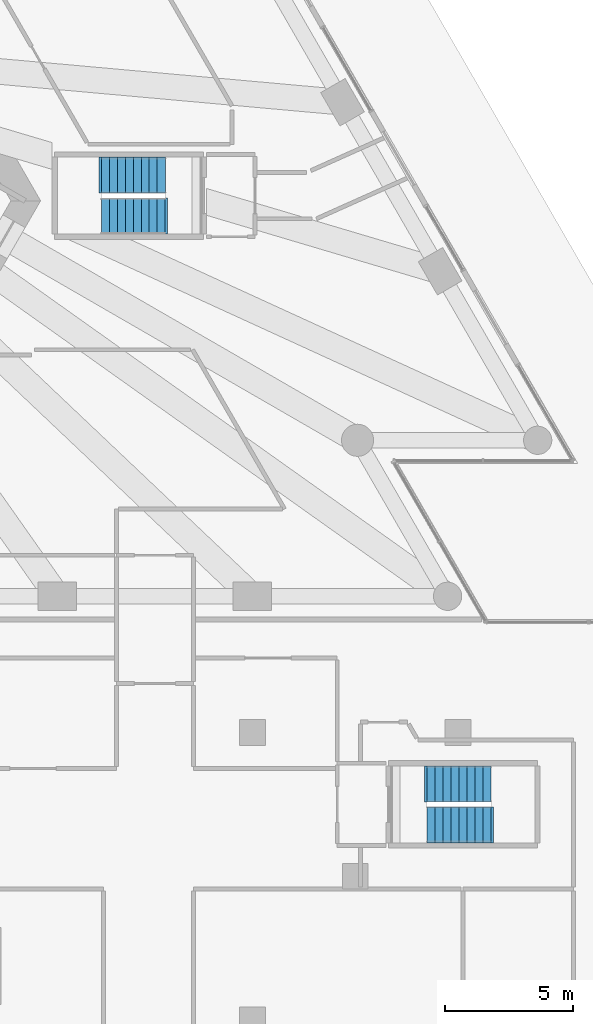
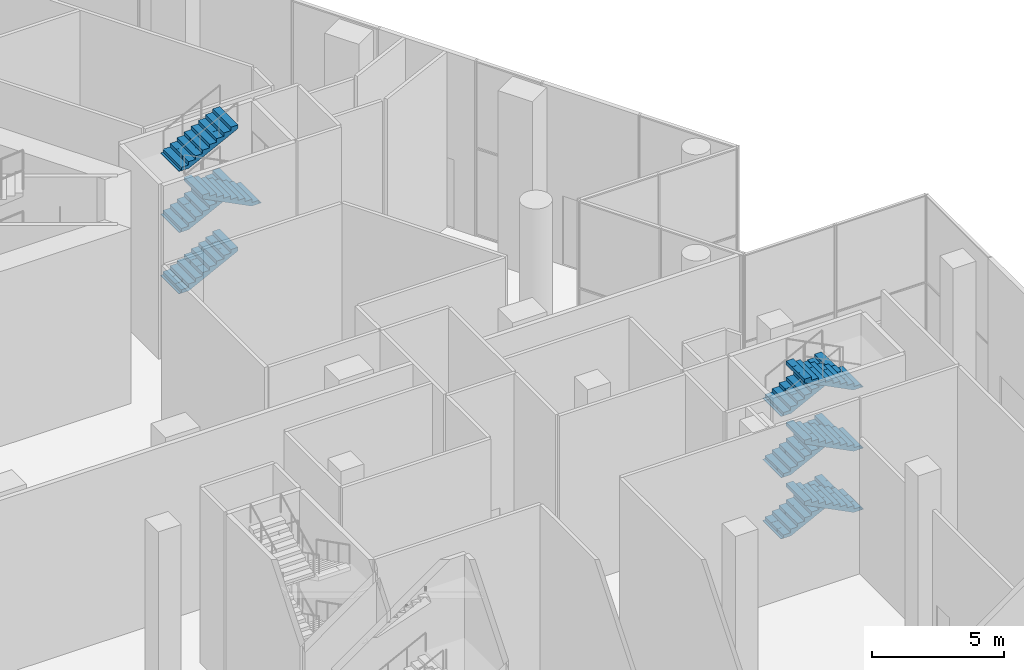
# One storey, part 33 of 41: 10 stair flights, 2 elements without a shape of their own.
"""IFC4 building model written with IfcOpenShell, lengths in metres."""

import ifcopenshell
import ifcopenshell.guid

model = None  # the IFC model being written
_history = None  # IfcOwnerHistory: only IFC2X3 demands one
_inside = {}  # id of a spatial element -> (the spatial element, [elements in it])
_under = {}  # id of a project, library or spatial element -> (it, [spatial elements below it])
_declared = {}  # id of a project -> (the project, [libraries it declares])
_typed = {}  # id of a type object -> (the type object, [elements of that type])
_made_of = {}  # id of a material, layer set ... -> (it, [elements and type objects made of it])


def new_model(schema):
    """Start an empty IFC model of exactly this schema.

    Asked for "IFC4X3", IfcOpenShell would pick the latest addendum, in which some entities
    have other attributes; the version numbers below select the first issue.
    IFC2X3 requires an IfcOwnerHistory on every rooted entity: one is made here for all.
    """
    global model, _history
    if schema == "IFC4X3":
        model = ifcopenshell.file(schema_version=(4, 3, 0, 0))
    else:
        model = ifcopenshell.file(schema=schema)
    _inside.clear()
    _under.clear()
    _declared.clear()
    _typed.clear()
    _made_of.clear()
    _history = None
    if model.schema == "IFC2X3":
        org = make("IfcOrganization", Name="unknown")
        user = make(
            "IfcPersonAndOrganization",
            ThePerson=make("IfcPerson", FamilyName="unknown"),
            TheOrganization=org,
        )
        app = make(
            "IfcApplication",
            ApplicationDeveloper=org,
            Version="unknown",
            ApplicationFullName="unknown",
            ApplicationIdentifier="unknown",
        )
        _history = make(
            "IfcOwnerHistory",
            OwningUser=user,
            OwningApplication=app,
            ChangeAction="ADDED",
            CreationDate=0,
        )
    return model


def make(cls, **values):
    """One entity of the class cls with the attributes given. An attribute that is None is left unset."""
    return model.create_entity(
        cls, **{name: value for name, value in values.items() if value is not None}
    )


def rooted(cls, **values):
    """An entity with a GlobalId (a new one), such as an element, a storey or a relation."""
    return make(cls, GlobalId=ifcopenshell.guid.new(), OwnerHistory=_history, **values)


def si_unit(unit_type, name, prefix=None):
    """IfcSIUnit, for example si_unit("LENGTHUNIT", "METRE", prefix="MILLI")."""
    return make("IfcSIUnit", UnitType=unit_type, Prefix=prefix, Name=name)


def assignment(units):
    """IfcUnitAssignment: the units of a project."""
    return None if units is None else make("IfcUnitAssignment", Units=units)


def point(xyz):
    """IfcCartesianPoint."""
    return None if xyz is None else make("IfcCartesianPoint", Coordinates=xyz)


def direction(xyz):
    """IfcDirection."""
    return None if xyz is None else make("IfcDirection", DirectionRatios=xyz)


def frame(location, z_axis=None, x_axis=None):
    """IfcAxis2Placement3D, a coordinate frame: its origin and axes. An axis left out is left unset."""
    return make(
        "IfcAxis2Placement3D",
        Location=point(location),
        Axis=direction(z_axis),
        RefDirection=direction(x_axis),
    )


def origin():
    """The frame at (0, 0, 0) with its axes left unset."""
    return frame((0.0, 0.0, 0.0))


def place(relative_to, where):
    """IfcLocalPlacement: puts the frame where relative to a parent placement (None: the world)."""
    return make(
        "IfcLocalPlacement", PlacementRelTo=relative_to, RelativePlacement=where
    )


def context(
    kind, dimensions, precision=None, world=None, true_north=None, identifier=None
):
    """IfcGeometricRepresentationContext, for example the 3D "Model" context."""
    return make(
        "IfcGeometricRepresentationContext",
        ContextIdentifier=identifier,
        ContextType=kind,
        CoordinateSpaceDimension=dimensions,
        Precision=precision,
        WorldCoordinateSystem=world,
        TrueNorth=true_north,
    )


def subcontext(parent, identifier, kind, view, scale=None):
    """IfcGeometricRepresentationSubContext, for example "Body" below "Model"."""
    return make(
        "IfcGeometricRepresentationSubContext",
        ContextIdentifier=identifier,
        ContextType=kind,
        ParentContext=parent,
        TargetScale=scale,
        TargetView=view,
    )


def project(units=None, contexts=None):
    """IfcProject with its units and contexts."""
    return rooted(
        "IfcProject",
        Name="project",
        RepresentationContexts=contexts,
        UnitsInContext=assignment(units),
    )


def spatial(cls, under=None, at=None, **own):
    """A site, building, storey or space (cls), placed at a placement, below another one or the project."""
    s = rooted(cls, ObjectPlacement=at, **own)
    if under is not None:
        _under.setdefault(under.id(), (under, []))[1].append(s)
    return s


def polyline(points):
    """IfcPolyline through the points."""
    return make("IfcPolyline", Points=[point(p) for p in points])


def outline(outer, holes=None, kind="AREA"):
    """IfcArbitraryClosedProfileDef: a profile drawn as a closed curve; with holes, ...WithVoids."""
    if holes is None:
        return make("IfcArbitraryClosedProfileDef", ProfileType=kind, OuterCurve=outer)
    return make(
        "IfcArbitraryProfileDefWithVoids",
        ProfileType=kind,
        OuterCurve=outer,
        InnerCurves=holes,
    )


def extrude(swept, where, along, depth):
    """IfcExtrudedAreaSolid: the profile swept, set in the frame where, extruded along a direction by depth."""
    return make(
        "IfcExtrudedAreaSolid",
        SweptArea=swept,
        Position=where,
        ExtrudedDirection=direction(along),
        Depth=depth,
    )


def shape(context_of_items, identifier, shape_type, items):
    """IfcShapeRepresentation: the items that make up one representation, for example the "Body"."""
    return make(
        "IfcShapeRepresentation",
        ContextOfItems=context_of_items,
        RepresentationIdentifier=identifier,
        RepresentationType=shape_type,
        Items=items,
    )


def material(Name=None, Category=None):
    """IfcMaterial."""
    return make("IfcMaterial", Name=Name, Category=Category)


def made_of(thing, what):
    """Note that an element or type object is made of a material, layer set ...; save() writes the relation."""
    if what is not None:
        _made_of.setdefault(what.id(), (what, []))[1].append(thing)
    return thing


def type_object(cls, material=None, **own):
    """A type object (cls), such as IfcWallType, which elements share."""
    return made_of(rooted(cls, **own), material)


def element(
    cls,
    number,
    at=None,
    inside=None,
    cuts=None,
    type_object=None,
    material=None,
    context=None,
    identifier="Body",
    shape_type=None,
    held_by="IfcProductDefinitionShape",
    body=None,
    shapes=None,
    **own,
):
    """One element of the class cls, such as IfcWall. Its Tag is "e" and its number.

    at: its placement. inside: the storey or other place that contains it. cuts: it is an
    opening in that element (IfcRelVoidsElement). A single representation is given by context,
    identifier, shape_type and body (its items); several are given by shapes. held_by: the class
    of the entity that holds the representations. save() writes the other relations.
    """
    e = rooted(cls, Tag="e%d" % number, ObjectPlacement=at, **own)
    if body is not None:
        shapes = [shape(context, identifier, shape_type, body)]
    if shapes is not None:
        e.Representation = make(held_by, Representations=shapes)
    if inside is not None:
        _inside.setdefault(inside.id(), (inside, []))[1].append(e)
    if cuts is not None:
        rooted(
            "IfcRelVoidsElement", RelatingBuildingElement=cuts, RelatedOpeningElement=e
        )
    if type_object is not None:
        _typed.setdefault(type_object.id(), (type_object, []))[1].append(e)
    return made_of(e, material)


def aggregate(whole, parts):
    """IfcRelAggregates: a whole, such as a stair, and the parts it consists of."""
    return rooted("IfcRelAggregates", RelatingObject=whole, RelatedObjects=parts)


def save(model, path):
    """Write the relations noted so far, then the file.

    IfcRelAggregates (storeys below a building ...), IfcRelContainedInSpatialStructure (elements
    in a storey), IfcRelDefinesByType, IfcRelAssociatesMaterial and IfcRelDeclares: one each for
    every whole, place, type object, material and project.
    """
    for whole, parts in _under.values():
        aggregate(whole, parts)
    for where, things in _inside.values():
        rooted(
            "IfcRelContainedInSpatialStructure",
            RelatedElements=things,
            RelatingStructure=where,
        )
    for kind, things in _typed.values():
        rooted("IfcRelDefinesByType", RelatedObjects=things, RelatingType=kind)
    for what, things in _made_of.values():
        rooted("IfcRelAssociatesMaterial", RelatedObjects=things, RelatingMaterial=what)
    for by, libraries in _declared.values():
        rooted("IfcRelDeclares", RelatingContext=by, RelatedDefinitions=libraries)
    model.write(path)


model = new_model("IFC4")

# Units and contexts
model_context = context("Model", 3, precision=1e-05, world=origin(), true_north=direction((0.0, 1.0)))
body_context = subcontext(model_context, "Body", "Model", "MODEL_VIEW")
ifc_project = project(units=[si_unit("LENGTHUNIT", "METRE"), si_unit("AREAUNIT", "SQUARE_METRE"), si_unit("VOLUMEUNIT", "CUBIC_METRE"), si_unit("PLANEANGLEUNIT", "RADIAN"), si_unit("MASSUNIT", "GRAM", prefix="KILO")], contexts=[model_context])

# Site, building, storey
site_placement = place(None, origin())
site = spatial("IfcSite", under=ifc_project, at=site_placement, CompositionType="ELEMENT")
building_placement = place(site_placement, origin())
building = spatial("IfcBuilding", under=site, at=building_placement, Name="Triada Interchange Tower", CompositionType="ELEMENT")
storey_placement = place(building_placement, origin())
storey = spatial("IfcBuildingStorey", under=building, at=storey_placement, Name="L00", CompositionType="ELEMENT", Elevation=0.0)

# Stair, stair flights
ifc_material = material(Name="Concrete C35/45", Category="concrete")
stair_type = type_object("IfcStairType", Name="HALF TURN STAIR 1400", PredefinedType="HALF_TURN_STAIR", material=ifc_material)
stair_1_placement = place(storey_placement, origin())
stair_1 = element("IfcStair", 1, at=stair_1_placement, inside=storey, type_object=stair_type, Name="Exit stair S00-7", PredefinedType="HALF_TURN_STAIR")
stair_flight_type = type_object("IfcStairFlightType", Name="STRAIGHT STAIR FLIGHT 1400", PredefinedType="STRAIGHT", material=ifc_material)
stair_flight_1_placement = place(storey_placement, frame((16.919921875, -5.199951171875, 1.416748046875), z_axis=(0.0, 0.0, 1.0), x_axis=(1.0, 0.0, 0.0)))
stair_flight_1 = element("IfcStairFlight", 2, at=stair_flight_1_placement, type_object=stair_flight_type, Name="S00-7 flight 2", NumberOfRisers=9, NumberOfTreads=8, PredefinedType="STRAIGHT", RiserHeight=0.15741, TreadLength=0.31, context=body_context, shape_type="SweptSolid", body=[
    extrude(outline(polyline([(-0.10009765625, 0.0), (-0.10009765625, 0.02001953125), (0.0, 0.02001953125), (0.0, 0.157470703125), (0.31005859375, 0.157470703125), (0.31005859375, 0.31494140625), (0.6201171875, 0.31494140625), (0.6201171875, 0.47216796875), (0.929931640625, 0.47216796875), (0.929931640625, 0.629638671875), (1.239990234375, 0.629638671875), (1.239990234375, 0.787109375), (1.550048828125, 0.787109375), (1.550048828125, 0.944580078125), (1.860107421875, 0.944580078125), (1.860107421875, 1.101806640625), (2.169921875, 1.101806640625), (2.169921875, 1.25927734375), (2.47998046875, 1.25927734375), (2.48388671875, 1.25927734375), (2.48388671875, 1.416748046875), (2.48388671875, 1.091064453125), (0.3310546875, 0.0), (-0.10009765625, 0.0)])), frame((0.0, 0.699951171875, 0.0), z_axis=(0.0, -1.0, 0.0), x_axis=(1.0, 0.0, 0.0)), (0.0, 0.0, 1.0), 0.46533203125),
    extrude(outline(polyline([(-0.10009765625, 0.0), (-0.10009765625, 0.02001953125), (0.0, 0.02001953125), (0.0, 0.157470703125), (0.31005859375, 0.157470703125), (0.31005859375, 0.31494140625), (0.6201171875, 0.31494140625), (0.6201171875, 0.47216796875), (0.929931640625, 0.47216796875), (0.929931640625, 0.629638671875), (1.239990234375, 0.629638671875), (1.239990234375, 0.787109375), (1.550048828125, 0.787109375), (1.550048828125, 0.944580078125), (1.860107421875, 0.944580078125), (1.860107421875, 1.101806640625), (2.169921875, 1.101806640625), (2.169921875, 1.25927734375), (2.47998046875, 1.25927734375), (2.48388671875, 1.25927734375), (2.48388671875, 1.416748046875), (2.48388671875, 1.091064453125), (0.3310546875, 0.0), (-0.10009765625, 0.0)])), frame((0.0, 0.232666015625, 0.0), z_axis=(0.0, -1.0, 0.0), x_axis=(1.0, 0.0, 0.0)), (0.0, 0.0, 1.0), 0.46533203125),
    extrude(outline(polyline([(-0.10009765625, 0.0), (-0.10009765625, 0.02001953125), (0.0, 0.02001953125), (0.0, 0.157470703125), (0.31005859375, 0.157470703125), (0.31005859375, 0.31494140625), (0.6201171875, 0.31494140625), (0.6201171875, 0.47216796875), (0.929931640625, 0.47216796875), (0.929931640625, 0.629638671875), (1.239990234375, 0.629638671875), (1.239990234375, 0.787109375), (1.550048828125, 0.787109375), (1.550048828125, 0.944580078125), (1.860107421875, 0.944580078125), (1.860107421875, 1.101806640625), (2.169921875, 1.101806640625), (2.169921875, 1.25927734375), (2.47998046875, 1.25927734375), (2.48388671875, 1.25927734375), (2.48388671875, 1.416748046875), (2.48388671875, 1.091064453125), (0.3310546875, 0.0), (-0.10009765625, 0.0)])), frame((0.0, -0.234619140625, 0.0), z_axis=(0.0, -1.0, 0.0), x_axis=(1.0, 0.0, 0.0)), (0.0, 0.0, 1.0), 0.46533203125),
])
stair_flight_2_placement = place(storey_placement, frame((16.919921875, -5.199951171875, 4.25), z_axis=(0.0, 0.0, 1.0), x_axis=(1.0, 0.0, 0.0)))
stair_flight_2 = element("IfcStairFlight", 3, at=stair_flight_2_placement, type_object=stair_flight_type, Name="S00-7 flight 4", NumberOfRisers=9, NumberOfTreads=8, PredefinedType="STRAIGHT", RiserHeight=0.15741, TreadLength=0.31, context=body_context, shape_type="SweptSolid", body=[
    extrude(outline(polyline([(-0.10009765625, 0.0), (-0.10009765625, 0.02001953125), (0.0, 0.02001953125), (0.0, 0.157470703125), (0.31005859375, 0.157470703125), (0.31005859375, 0.31494140625), (0.6201171875, 0.31494140625), (0.6201171875, 0.47216796875), (0.929931640625, 0.47216796875), (0.929931640625, 0.629638671875), (1.239990234375, 0.629638671875), (1.239990234375, 0.787109375), (1.550048828125, 0.787109375), (1.550048828125, 0.944580078125), (1.860107421875, 0.944580078125), (1.860107421875, 1.101806640625), (2.169921875, 1.101806640625), (2.169921875, 1.25927734375), (2.47998046875, 1.25927734375), (2.48388671875, 1.25927734375), (2.48388671875, 1.416748046875), (2.48388671875, 1.091064453125), (0.3310546875, 0.0), (-0.10009765625, 0.0)])), frame((0.0, 0.699951171875, 0.0), z_axis=(0.0, -1.0, 0.0), x_axis=(1.0, 0.0, 0.0)), (0.0, 0.0, 1.0), 0.46533203125),
    extrude(outline(polyline([(-0.10009765625, 0.0), (-0.10009765625, 0.02001953125), (0.0, 0.02001953125), (0.0, 0.157470703125), (0.31005859375, 0.157470703125), (0.31005859375, 0.31494140625), (0.6201171875, 0.31494140625), (0.6201171875, 0.47216796875), (0.929931640625, 0.47216796875), (0.929931640625, 0.629638671875), (1.239990234375, 0.629638671875), (1.239990234375, 0.787109375), (1.550048828125, 0.787109375), (1.550048828125, 0.944580078125), (1.860107421875, 0.944580078125), (1.860107421875, 1.101806640625), (2.169921875, 1.101806640625), (2.169921875, 1.25927734375), (2.47998046875, 1.25927734375), (2.48388671875, 1.25927734375), (2.48388671875, 1.416748046875), (2.48388671875, 1.091064453125), (0.3310546875, 0.0), (-0.10009765625, 0.0)])), frame((0.0, 0.232666015625, 0.0), z_axis=(0.0, -1.0, 0.0), x_axis=(1.0, 0.0, 0.0)), (0.0, 0.0, 1.0), 0.46533203125),
    extrude(outline(polyline([(-0.10009765625, 0.0), (-0.10009765625, 0.02001953125), (0.0, 0.02001953125), (0.0, 0.157470703125), (0.31005859375, 0.157470703125), (0.31005859375, 0.31494140625), (0.6201171875, 0.31494140625), (0.6201171875, 0.47216796875), (0.929931640625, 0.47216796875), (0.929931640625, 0.629638671875), (1.239990234375, 0.629638671875), (1.239990234375, 0.787109375), (1.550048828125, 0.787109375), (1.550048828125, 0.944580078125), (1.860107421875, 0.944580078125), (1.860107421875, 1.101806640625), (2.169921875, 1.101806640625), (2.169921875, 1.25927734375), (2.47998046875, 1.25927734375), (2.48388671875, 1.25927734375), (2.48388671875, 1.416748046875), (2.48388671875, 1.091064453125), (0.3310546875, 0.0), (-0.10009765625, 0.0)])), frame((0.0, -0.234619140625, 0.0), z_axis=(0.0, -1.0, 0.0), x_axis=(1.0, 0.0, 0.0)), (0.0, 0.0, 1.0), 0.46533203125),
])
stair_flight_3_placement = place(storey_placement, frame((19.39990234375, -6.800048828125, 5.666748046875), z_axis=(0.0, 0.0, 1.0), x_axis=(-1.0, 0.0, 0.0)))
stair_flight_3 = element("IfcStairFlight", 4, at=stair_flight_3_placement, type_object=stair_flight_type, Name="S00-7 flight 5", NumberOfRisers=9, NumberOfTreads=8, PredefinedType="STRAIGHT", RiserHeight=0.15741, TreadLength=0.31, context=body_context, shape_type="SweptSolid", body=[
    extrude(outline(polyline([(-0.10009765625, 0.0), (-0.10009765625, 0.02001953125), (0.0, 0.02001953125), (0.0, 0.157470703125), (0.31005859375, 0.157470703125), (0.31005859375, 0.31494140625), (0.6201171875, 0.31494140625), (0.6201171875, 0.47216796875), (0.929931640625, 0.47216796875), (0.929931640625, 0.629638671875), (1.239990234375, 0.629638671875), (1.239990234375, 0.787109375), (1.550048828125, 0.787109375), (1.550048828125, 0.944580078125), (1.860107421875, 0.944580078125), (1.860107421875, 1.101806640625), (2.169921875, 1.101806640625), (2.169921875, 1.25927734375), (2.47998046875, 1.25927734375), (2.48388671875, 1.25927734375), (2.48388671875, 1.416748046875), (2.48388671875, 1.091064453125), (0.3310546875, 0.0), (-0.10009765625, 0.0)])), frame((0.0, 0.699951171875, 0.0), z_axis=(0.0, -1.0, 0.0), x_axis=(1.0, 0.0, 0.0)), (0.0, 0.0, 1.0), 0.46533203125),
    extrude(outline(polyline([(-0.10009765625, 0.0), (-0.10009765625, 0.02001953125), (0.0, 0.02001953125), (0.0, 0.157470703125), (0.31005859375, 0.157470703125), (0.31005859375, 0.31494140625), (0.6201171875, 0.31494140625), (0.6201171875, 0.47216796875), (0.929931640625, 0.47216796875), (0.929931640625, 0.629638671875), (1.239990234375, 0.629638671875), (1.239990234375, 0.787109375), (1.550048828125, 0.787109375), (1.550048828125, 0.944580078125), (1.860107421875, 0.944580078125), (1.860107421875, 1.101806640625), (2.169921875, 1.101806640625), (2.169921875, 1.25927734375), (2.47998046875, 1.25927734375), (2.48388671875, 1.25927734375), (2.48388671875, 1.416748046875), (2.48388671875, 1.091064453125), (0.3310546875, 0.0), (-0.10009765625, 0.0)])), frame((0.0, 0.232666015625, 0.0), z_axis=(0.0, -1.0, 0.0), x_axis=(1.0, 0.0, 0.0)), (0.0, 0.0, 1.0), 0.46533203125),
    extrude(outline(polyline([(-0.10009765625, 0.0), (-0.10009765625, 0.02001953125), (0.0, 0.02001953125), (0.0, 0.157470703125), (0.31005859375, 0.157470703125), (0.31005859375, 0.31494140625), (0.6201171875, 0.31494140625), (0.6201171875, 0.47216796875), (0.929931640625, 0.47216796875), (0.929931640625, 0.629638671875), (1.239990234375, 0.629638671875), (1.239990234375, 0.787109375), (1.550048828125, 0.787109375), (1.550048828125, 0.944580078125), (1.860107421875, 0.944580078125), (1.860107421875, 1.101806640625), (2.169921875, 1.101806640625), (2.169921875, 1.25927734375), (2.47998046875, 1.25927734375), (2.48388671875, 1.25927734375), (2.48388671875, 1.416748046875), (2.48388671875, 1.091064453125), (0.3310546875, 0.0), (-0.10009765625, 0.0)])), frame((0.0, -0.234619140625, 0.0), z_axis=(0.0, -1.0, 0.0), x_axis=(1.0, 0.0, 0.0)), (0.0, 0.0, 1.0), 0.46533203125),
])
stair_flight_4_placement = place(storey_placement, frame((16.919921875, -5.199951171875, 7.08349609375), z_axis=(0.0, 0.0, 1.0), x_axis=(1.0, 0.0, 0.0)))
stair_flight_4 = element("IfcStairFlight", 5, at=stair_flight_4_placement, type_object=stair_flight_type, Name="S00-7 flight 6", NumberOfRisers=9, NumberOfTreads=8, PredefinedType="STRAIGHT", RiserHeight=0.15741, TreadLength=0.31, context=body_context, shape_type="SweptSolid", body=[
    extrude(outline(polyline([(-0.10009765625, 0.0), (-0.10009765625, 0.02001953125), (0.0, 0.02001953125), (0.0, 0.157470703125), (0.31005859375, 0.157470703125), (0.31005859375, 0.31494140625), (0.6201171875, 0.31494140625), (0.6201171875, 0.47216796875), (0.929931640625, 0.47216796875), (0.929931640625, 0.629638671875), (1.239990234375, 0.629638671875), (1.239990234375, 0.787109375), (1.550048828125, 0.787109375), (1.550048828125, 0.944580078125), (1.860107421875, 0.944580078125), (1.860107421875, 1.101806640625), (2.169921875, 1.101806640625), (2.169921875, 1.25927734375), (2.47998046875, 1.25927734375), (2.48388671875, 1.25927734375), (2.48388671875, 1.416748046875), (2.48388671875, 1.091064453125), (0.3310546875, 0.0), (-0.10009765625, 0.0)])), frame((0.0, 0.699951171875, 0.0), z_axis=(0.0, -1.0, 0.0), x_axis=(1.0, 0.0, 0.0)), (0.0, 0.0, 1.0), 0.46533203125),
    extrude(outline(polyline([(-0.10009765625, 0.0), (-0.10009765625, 0.02001953125), (0.0, 0.02001953125), (0.0, 0.157470703125), (0.31005859375, 0.157470703125), (0.31005859375, 0.31494140625), (0.6201171875, 0.31494140625), (0.6201171875, 0.47216796875), (0.929931640625, 0.47216796875), (0.929931640625, 0.629638671875), (1.239990234375, 0.629638671875), (1.239990234375, 0.787109375), (1.550048828125, 0.787109375), (1.550048828125, 0.944580078125), (1.860107421875, 0.944580078125), (1.860107421875, 1.101806640625), (2.169921875, 1.101806640625), (2.169921875, 1.25927734375), (2.47998046875, 1.25927734375), (2.48388671875, 1.25927734375), (2.48388671875, 1.416748046875), (2.48388671875, 1.091064453125), (0.3310546875, 0.0), (-0.10009765625, 0.0)])), frame((0.0, 0.232666015625, 0.0), z_axis=(0.0, -1.0, 0.0), x_axis=(1.0, 0.0, 0.0)), (0.0, 0.0, 1.0), 0.46533203125),
    extrude(outline(polyline([(-0.10009765625, 0.0), (-0.10009765625, 0.02001953125), (0.0, 0.02001953125), (0.0, 0.157470703125), (0.31005859375, 0.157470703125), (0.31005859375, 0.31494140625), (0.6201171875, 0.31494140625), (0.6201171875, 0.47216796875), (0.929931640625, 0.47216796875), (0.929931640625, 0.629638671875), (1.239990234375, 0.629638671875), (1.239990234375, 0.787109375), (1.550048828125, 0.787109375), (1.550048828125, 0.944580078125), (1.860107421875, 0.944580078125), (1.860107421875, 1.101806640625), (2.169921875, 1.101806640625), (2.169921875, 1.25927734375), (2.47998046875, 1.25927734375), (2.48388671875, 1.25927734375), (2.48388671875, 1.416748046875), (2.48388671875, 1.091064453125), (0.3310546875, 0.0), (-0.10009765625, 0.0)])), frame((0.0, -0.234619140625, 0.0), z_axis=(0.0, -1.0, 0.0), x_axis=(1.0, 0.0, 0.0)), (0.0, 0.0, 1.0), 0.46533203125),
])
aggregate(stair_1, [stair_flight_1, stair_flight_2, stair_flight_3, stair_flight_4])

stair_2_placement = place(storey_placement, origin())
stair_2 = element("IfcStair", 6, at=stair_2_placement, inside=storey, type_object=stair_type, Name="Exit stair S00-9", PredefinedType="HALF_TURN_STAIR")
stair_flight_5_placement = place(storey_placement, frame((29.60009765625, -28.89990234375, 0.0), z_axis=(0.0, 0.0, 1.0), x_axis=(1.0, 0.0, 0.0)))
stair_flight_5 = element("IfcStairFlight", 7, at=stair_flight_5_placement, type_object=stair_flight_type, Name="S00-9 flight 1", NumberOfRisers=9, NumberOfTreads=8, PredefinedType="STRAIGHT", RiserHeight=0.15741, TreadLength=0.31, context=body_context, shape_type="SweptSolid", body=[
    extrude(outline(polyline([(-0.10009765625, 0.0), (-0.10009765625, 0.02001953125), (0.0, 0.02001953125), (0.0, 0.157470703125), (0.31005859375, 0.157470703125), (0.31005859375, 0.31494140625), (0.6201171875, 0.31494140625), (0.6201171875, 0.47216796875), (0.929931640625, 0.47216796875), (0.929931640625, 0.629638671875), (1.239990234375, 0.629638671875), (1.239990234375, 0.787109375), (1.550048828125, 0.787109375), (1.550048828125, 0.944580078125), (1.860107421875, 0.944580078125), (1.860107421875, 1.101806640625), (2.169921875, 1.101806640625), (2.169921875, 1.25927734375), (2.47998046875, 1.25927734375), (2.48388671875, 1.25927734375), (2.48388671875, 1.416748046875), (2.48388671875, 1.091064453125), (0.3310546875, 0.0), (-0.10009765625, 0.0)])), frame((0.0, 0.699951171875, 0.0), z_axis=(0.0, -1.0, 0.0), x_axis=(1.0, 0.0, 0.0)), (0.0, 0.0, 1.0), 0.46533203125),
    extrude(outline(polyline([(-0.10009765625, 0.0), (-0.10009765625, 0.02001953125), (0.0, 0.02001953125), (0.0, 0.157470703125), (0.31005859375, 0.157470703125), (0.31005859375, 0.31494140625), (0.6201171875, 0.31494140625), (0.6201171875, 0.47216796875), (0.929931640625, 0.47216796875), (0.929931640625, 0.629638671875), (1.239990234375, 0.629638671875), (1.239990234375, 0.787109375), (1.550048828125, 0.787109375), (1.550048828125, 0.944580078125), (1.860107421875, 0.944580078125), (1.860107421875, 1.101806640625), (2.169921875, 1.101806640625), (2.169921875, 1.25927734375), (2.47998046875, 1.25927734375), (2.48388671875, 1.25927734375), (2.48388671875, 1.416748046875), (2.48388671875, 1.091064453125), (0.3310546875, 0.0), (-0.10009765625, 0.0)])), frame((0.0, 0.232666015625, 0.0), z_axis=(0.0, -1.0, 0.0), x_axis=(1.0, 0.0, 0.0)), (0.0, 0.0, 1.0), 0.46533203125),
    extrude(outline(polyline([(-0.10009765625, 0.0), (-0.10009765625, 0.02001953125), (0.0, 0.02001953125), (0.0, 0.157470703125), (0.31005859375, 0.157470703125), (0.31005859375, 0.31494140625), (0.6201171875, 0.31494140625), (0.6201171875, 0.47216796875), (0.929931640625, 0.47216796875), (0.929931640625, 0.629638671875), (1.239990234375, 0.629638671875), (1.239990234375, 0.787109375), (1.550048828125, 0.787109375), (1.550048828125, 0.944580078125), (1.860107421875, 0.944580078125), (1.860107421875, 1.101806640625), (2.169921875, 1.101806640625), (2.169921875, 1.25927734375), (2.47998046875, 1.25927734375), (2.48388671875, 1.25927734375), (2.48388671875, 1.416748046875), (2.48388671875, 1.091064453125), (0.3310546875, 0.0), (-0.10009765625, 0.0)])), frame((0.0, -0.234619140625, 0.0), z_axis=(0.0, -1.0, 0.0), x_axis=(1.0, 0.0, 0.0)), (0.0, 0.0, 1.0), 0.46533203125),
])
stair_flight_6_placement = place(storey_placement, frame((32.080078125, -30.5, 1.416748046875), z_axis=(0.0, 0.0, 1.0), x_axis=(-1.0, 0.0, 0.0)))
stair_flight_6 = element("IfcStairFlight", 8, at=stair_flight_6_placement, type_object=stair_flight_type, Name="S00-9 flight 2", NumberOfRisers=9, NumberOfTreads=8, PredefinedType="STRAIGHT", RiserHeight=0.15741, TreadLength=0.31, context=body_context, shape_type="SweptSolid", body=[
    extrude(outline(polyline([(-0.10009765625, 0.0), (-0.10009765625, 0.02001953125), (0.0, 0.02001953125), (0.0, 0.157470703125), (0.31005859375, 0.157470703125), (0.31005859375, 0.31494140625), (0.6201171875, 0.31494140625), (0.6201171875, 0.47216796875), (0.929931640625, 0.47216796875), (0.929931640625, 0.629638671875), (1.239990234375, 0.629638671875), (1.239990234375, 0.787109375), (1.550048828125, 0.787109375), (1.550048828125, 0.944580078125), (1.860107421875, 0.944580078125), (1.860107421875, 1.101806640625), (2.169921875, 1.101806640625), (2.169921875, 1.25927734375), (2.47998046875, 1.25927734375), (2.48388671875, 1.25927734375), (2.48388671875, 1.416748046875), (2.48388671875, 1.091064453125), (0.3310546875, 0.0), (-0.10009765625, 0.0)])), frame((0.0, 0.699951171875, 0.0), z_axis=(0.0, -1.0, 0.0), x_axis=(1.0, 0.0, 0.0)), (0.0, 0.0, 1.0), 0.46533203125),
    extrude(outline(polyline([(-0.10009765625, 0.0), (-0.10009765625, 0.02001953125), (0.0, 0.02001953125), (0.0, 0.157470703125), (0.31005859375, 0.157470703125), (0.31005859375, 0.31494140625), (0.6201171875, 0.31494140625), (0.6201171875, 0.47216796875), (0.929931640625, 0.47216796875), (0.929931640625, 0.629638671875), (1.239990234375, 0.629638671875), (1.239990234375, 0.787109375), (1.550048828125, 0.787109375), (1.550048828125, 0.944580078125), (1.860107421875, 0.944580078125), (1.860107421875, 1.101806640625), (2.169921875, 1.101806640625), (2.169921875, 1.25927734375), (2.47998046875, 1.25927734375), (2.48388671875, 1.25927734375), (2.48388671875, 1.416748046875), (2.48388671875, 1.091064453125), (0.3310546875, 0.0), (-0.10009765625, 0.0)])), frame((0.0, 0.232666015625, 0.0), z_axis=(0.0, -1.0, 0.0), x_axis=(1.0, 0.0, 0.0)), (0.0, 0.0, 1.0), 0.46533203125),
    extrude(outline(polyline([(-0.10009765625, 0.0), (-0.10009765625, 0.02001953125), (0.0, 0.02001953125), (0.0, 0.157470703125), (0.31005859375, 0.157470703125), (0.31005859375, 0.31494140625), (0.6201171875, 0.31494140625), (0.6201171875, 0.47216796875), (0.929931640625, 0.47216796875), (0.929931640625, 0.629638671875), (1.239990234375, 0.629638671875), (1.239990234375, 0.787109375), (1.550048828125, 0.787109375), (1.550048828125, 0.944580078125), (1.860107421875, 0.944580078125), (1.860107421875, 1.101806640625), (2.169921875, 1.101806640625), (2.169921875, 1.25927734375), (2.47998046875, 1.25927734375), (2.48388671875, 1.25927734375), (2.48388671875, 1.416748046875), (2.48388671875, 1.091064453125), (0.3310546875, 0.0), (-0.10009765625, 0.0)])), frame((0.0, -0.234619140625, 0.0), z_axis=(0.0, -1.0, 0.0), x_axis=(1.0, 0.0, 0.0)), (0.0, 0.0, 1.0), 0.46533203125),
])
stair_flight_7_placement = place(storey_placement, frame((29.60009765625, -28.89990234375, 2.83349609375), z_axis=(0.0, 0.0, 1.0), x_axis=(1.0, 0.0, 0.0)))
stair_flight_7 = element("IfcStairFlight", 9, at=stair_flight_7_placement, type_object=stair_flight_type, Name="S00-9 flight 3", NumberOfRisers=9, NumberOfTreads=8, PredefinedType="STRAIGHT", RiserHeight=0.15741, TreadLength=0.31, context=body_context, shape_type="SweptSolid", body=[
    extrude(outline(polyline([(-0.10009765625, 0.0), (-0.10009765625, 0.02001953125), (0.0, 0.02001953125), (0.0, 0.157470703125), (0.31005859375, 0.157470703125), (0.31005859375, 0.31494140625), (0.6201171875, 0.31494140625), (0.6201171875, 0.47216796875), (0.929931640625, 0.47216796875), (0.929931640625, 0.629638671875), (1.239990234375, 0.629638671875), (1.239990234375, 0.787109375), (1.550048828125, 0.787109375), (1.550048828125, 0.944580078125), (1.860107421875, 0.944580078125), (1.860107421875, 1.101806640625), (2.169921875, 1.101806640625), (2.169921875, 1.25927734375), (2.47998046875, 1.25927734375), (2.48388671875, 1.25927734375), (2.48388671875, 1.416748046875), (2.48388671875, 1.091064453125), (0.3310546875, 0.0), (-0.10009765625, 0.0)])), frame((0.0, 0.699951171875, 0.0), z_axis=(0.0, -1.0, 0.0), x_axis=(1.0, 0.0, 0.0)), (0.0, 0.0, 1.0), 0.46533203125),
    extrude(outline(polyline([(-0.10009765625, 0.0), (-0.10009765625, 0.02001953125), (0.0, 0.02001953125), (0.0, 0.157470703125), (0.31005859375, 0.157470703125), (0.31005859375, 0.31494140625), (0.6201171875, 0.31494140625), (0.6201171875, 0.47216796875), (0.929931640625, 0.47216796875), (0.929931640625, 0.629638671875), (1.239990234375, 0.629638671875), (1.239990234375, 0.787109375), (1.550048828125, 0.787109375), (1.550048828125, 0.944580078125), (1.860107421875, 0.944580078125), (1.860107421875, 1.101806640625), (2.169921875, 1.101806640625), (2.169921875, 1.25927734375), (2.47998046875, 1.25927734375), (2.48388671875, 1.25927734375), (2.48388671875, 1.416748046875), (2.48388671875, 1.091064453125), (0.3310546875, 0.0), (-0.10009765625, 0.0)])), frame((0.0, 0.232666015625, 0.0), z_axis=(0.0, -1.0, 0.0), x_axis=(1.0, 0.0, 0.0)), (0.0, 0.0, 1.0), 0.46533203125),
    extrude(outline(polyline([(-0.10009765625, 0.0), (-0.10009765625, 0.02001953125), (0.0, 0.02001953125), (0.0, 0.157470703125), (0.31005859375, 0.157470703125), (0.31005859375, 0.31494140625), (0.6201171875, 0.31494140625), (0.6201171875, 0.47216796875), (0.929931640625, 0.47216796875), (0.929931640625, 0.629638671875), (1.239990234375, 0.629638671875), (1.239990234375, 0.787109375), (1.550048828125, 0.787109375), (1.550048828125, 0.944580078125), (1.860107421875, 0.944580078125), (1.860107421875, 1.101806640625), (2.169921875, 1.101806640625), (2.169921875, 1.25927734375), (2.47998046875, 1.25927734375), (2.48388671875, 1.25927734375), (2.48388671875, 1.416748046875), (2.48388671875, 1.091064453125), (0.3310546875, 0.0), (-0.10009765625, 0.0)])), frame((0.0, -0.234619140625, 0.0), z_axis=(0.0, -1.0, 0.0), x_axis=(1.0, 0.0, 0.0)), (0.0, 0.0, 1.0), 0.46533203125),
])
stair_flight_8_placement = place(storey_placement, frame((32.080078125, -30.5, 4.25), z_axis=(0.0, 0.0, 1.0), x_axis=(-1.0, 0.0, 0.0)))
stair_flight_8 = element("IfcStairFlight", 10, at=stair_flight_8_placement, type_object=stair_flight_type, Name="S00-9 flight 4", NumberOfRisers=9, NumberOfTreads=8, PredefinedType="STRAIGHT", RiserHeight=0.15741, TreadLength=0.31, context=body_context, shape_type="SweptSolid", body=[
    extrude(outline(polyline([(-0.10009765625, 0.0), (-0.10009765625, 0.02001953125), (0.0, 0.02001953125), (0.0, 0.157470703125), (0.31005859375, 0.157470703125), (0.31005859375, 0.31494140625), (0.6201171875, 0.31494140625), (0.6201171875, 0.47216796875), (0.929931640625, 0.47216796875), (0.929931640625, 0.629638671875), (1.239990234375, 0.629638671875), (1.239990234375, 0.787109375), (1.550048828125, 0.787109375), (1.550048828125, 0.944580078125), (1.860107421875, 0.944580078125), (1.860107421875, 1.101806640625), (2.169921875, 1.101806640625), (2.169921875, 1.25927734375), (2.47998046875, 1.25927734375), (2.48388671875, 1.25927734375), (2.48388671875, 1.416748046875), (2.48388671875, 1.091064453125), (0.3310546875, 0.0), (-0.10009765625, 0.0)])), frame((0.0, 0.699951171875, 0.0), z_axis=(0.0, -1.0, 0.0), x_axis=(1.0, 0.0, 0.0)), (0.0, 0.0, 1.0), 0.46533203125),
    extrude(outline(polyline([(-0.10009765625, 0.0), (-0.10009765625, 0.02001953125), (0.0, 0.02001953125), (0.0, 0.157470703125), (0.31005859375, 0.157470703125), (0.31005859375, 0.31494140625), (0.6201171875, 0.31494140625), (0.6201171875, 0.47216796875), (0.929931640625, 0.47216796875), (0.929931640625, 0.629638671875), (1.239990234375, 0.629638671875), (1.239990234375, 0.787109375), (1.550048828125, 0.787109375), (1.550048828125, 0.944580078125), (1.860107421875, 0.944580078125), (1.860107421875, 1.101806640625), (2.169921875, 1.101806640625), (2.169921875, 1.25927734375), (2.47998046875, 1.25927734375), (2.48388671875, 1.25927734375), (2.48388671875, 1.416748046875), (2.48388671875, 1.091064453125), (0.3310546875, 0.0), (-0.10009765625, 0.0)])), frame((0.0, 0.232666015625, 0.0), z_axis=(0.0, -1.0, 0.0), x_axis=(1.0, 0.0, 0.0)), (0.0, 0.0, 1.0), 0.46533203125),
    extrude(outline(polyline([(-0.10009765625, 0.0), (-0.10009765625, 0.02001953125), (0.0, 0.02001953125), (0.0, 0.157470703125), (0.31005859375, 0.157470703125), (0.31005859375, 0.31494140625), (0.6201171875, 0.31494140625), (0.6201171875, 0.47216796875), (0.929931640625, 0.47216796875), (0.929931640625, 0.629638671875), (1.239990234375, 0.629638671875), (1.239990234375, 0.787109375), (1.550048828125, 0.787109375), (1.550048828125, 0.944580078125), (1.860107421875, 0.944580078125), (1.860107421875, 1.101806640625), (2.169921875, 1.101806640625), (2.169921875, 1.25927734375), (2.47998046875, 1.25927734375), (2.48388671875, 1.25927734375), (2.48388671875, 1.416748046875), (2.48388671875, 1.091064453125), (0.3310546875, 0.0), (-0.10009765625, 0.0)])), frame((0.0, -0.234619140625, 0.0), z_axis=(0.0, -1.0, 0.0), x_axis=(1.0, 0.0, 0.0)), (0.0, 0.0, 1.0), 0.46533203125),
])
stair_flight_9_placement = place(storey_placement, frame((29.60009765625, -28.89990234375, 5.666748046875), z_axis=(0.0, 0.0, 1.0), x_axis=(1.0, 0.0, 0.0)))
stair_flight_9 = element("IfcStairFlight", 11, at=stair_flight_9_placement, type_object=stair_flight_type, Name="S00-9 flight 5", NumberOfRisers=9, NumberOfTreads=8, PredefinedType="STRAIGHT", RiserHeight=0.15741, TreadLength=0.31, context=body_context, shape_type="SweptSolid", body=[
    extrude(outline(polyline([(-0.10009765625, 0.0), (-0.10009765625, 0.02001953125), (0.0, 0.02001953125), (0.0, 0.157470703125), (0.31005859375, 0.157470703125), (0.31005859375, 0.31494140625), (0.6201171875, 0.31494140625), (0.6201171875, 0.47216796875), (0.929931640625, 0.47216796875), (0.929931640625, 0.629638671875), (1.239990234375, 0.629638671875), (1.239990234375, 0.787109375), (1.550048828125, 0.787109375), (1.550048828125, 0.944580078125), (1.860107421875, 0.944580078125), (1.860107421875, 1.101806640625), (2.169921875, 1.101806640625), (2.169921875, 1.25927734375), (2.47998046875, 1.25927734375), (2.48388671875, 1.25927734375), (2.48388671875, 1.416748046875), (2.48388671875, 1.091064453125), (0.3310546875, 0.0), (-0.10009765625, 0.0)])), frame((0.0, 0.699951171875, 0.0), z_axis=(0.0, -1.0, 0.0), x_axis=(1.0, 0.0, 0.0)), (0.0, 0.0, 1.0), 0.46533203125),
    extrude(outline(polyline([(-0.10009765625, 0.0), (-0.10009765625, 0.02001953125), (0.0, 0.02001953125), (0.0, 0.157470703125), (0.31005859375, 0.157470703125), (0.31005859375, 0.31494140625), (0.6201171875, 0.31494140625), (0.6201171875, 0.47216796875), (0.929931640625, 0.47216796875), (0.929931640625, 0.629638671875), (1.239990234375, 0.629638671875), (1.239990234375, 0.787109375), (1.550048828125, 0.787109375), (1.550048828125, 0.944580078125), (1.860107421875, 0.944580078125), (1.860107421875, 1.101806640625), (2.169921875, 1.101806640625), (2.169921875, 1.25927734375), (2.47998046875, 1.25927734375), (2.48388671875, 1.25927734375), (2.48388671875, 1.416748046875), (2.48388671875, 1.091064453125), (0.3310546875, 0.0), (-0.10009765625, 0.0)])), frame((0.0, 0.232666015625, 0.0), z_axis=(0.0, -1.0, 0.0), x_axis=(1.0, 0.0, 0.0)), (0.0, 0.0, 1.0), 0.46533203125),
    extrude(outline(polyline([(-0.10009765625, 0.0), (-0.10009765625, 0.02001953125), (0.0, 0.02001953125), (0.0, 0.157470703125), (0.31005859375, 0.157470703125), (0.31005859375, 0.31494140625), (0.6201171875, 0.31494140625), (0.6201171875, 0.47216796875), (0.929931640625, 0.47216796875), (0.929931640625, 0.629638671875), (1.239990234375, 0.629638671875), (1.239990234375, 0.787109375), (1.550048828125, 0.787109375), (1.550048828125, 0.944580078125), (1.860107421875, 0.944580078125), (1.860107421875, 1.101806640625), (2.169921875, 1.101806640625), (2.169921875, 1.25927734375), (2.47998046875, 1.25927734375), (2.48388671875, 1.25927734375), (2.48388671875, 1.416748046875), (2.48388671875, 1.091064453125), (0.3310546875, 0.0), (-0.10009765625, 0.0)])), frame((0.0, -0.234619140625, 0.0), z_axis=(0.0, -1.0, 0.0), x_axis=(1.0, 0.0, 0.0)), (0.0, 0.0, 1.0), 0.46533203125),
])
stair_flight_10_placement = place(storey_placement, frame((32.080078125, -30.5, 7.08349609375), z_axis=(0.0, 0.0, 1.0), x_axis=(-1.0, 0.0, 0.0)))
stair_flight_10 = element("IfcStairFlight", 12, at=stair_flight_10_placement, type_object=stair_flight_type, Name="S00-9 flight 6", NumberOfRisers=9, NumberOfTreads=8, PredefinedType="STRAIGHT", RiserHeight=0.15741, TreadLength=0.31, context=body_context, shape_type="SweptSolid", body=[
    extrude(outline(polyline([(-0.10009765625, 0.0), (-0.10009765625, 0.02001953125), (0.0, 0.02001953125), (0.0, 0.157470703125), (0.31005859375, 0.157470703125), (0.31005859375, 0.31494140625), (0.6201171875, 0.31494140625), (0.6201171875, 0.47216796875), (0.929931640625, 0.47216796875), (0.929931640625, 0.629638671875), (1.239990234375, 0.629638671875), (1.239990234375, 0.787109375), (1.550048828125, 0.787109375), (1.550048828125, 0.944580078125), (1.860107421875, 0.944580078125), (1.860107421875, 1.101806640625), (2.169921875, 1.101806640625), (2.169921875, 1.25927734375), (2.47998046875, 1.25927734375), (2.48388671875, 1.25927734375), (2.48388671875, 1.416748046875), (2.48388671875, 1.091064453125), (0.3310546875, 0.0), (-0.10009765625, 0.0)])), frame((0.0, 0.699951171875, 0.0), z_axis=(0.0, -1.0, 0.0), x_axis=(1.0, 0.0, 0.0)), (0.0, 0.0, 1.0), 0.46533203125),
    extrude(outline(polyline([(-0.10009765625, 0.0), (-0.10009765625, 0.02001953125), (0.0, 0.02001953125), (0.0, 0.157470703125), (0.31005859375, 0.157470703125), (0.31005859375, 0.31494140625), (0.6201171875, 0.31494140625), (0.6201171875, 0.47216796875), (0.929931640625, 0.47216796875), (0.929931640625, 0.629638671875), (1.239990234375, 0.629638671875), (1.239990234375, 0.787109375), (1.550048828125, 0.787109375), (1.550048828125, 0.944580078125), (1.860107421875, 0.944580078125), (1.860107421875, 1.101806640625), (2.169921875, 1.101806640625), (2.169921875, 1.25927734375), (2.47998046875, 1.25927734375), (2.48388671875, 1.25927734375), (2.48388671875, 1.416748046875), (2.48388671875, 1.091064453125), (0.3310546875, 0.0), (-0.10009765625, 0.0)])), frame((0.0, 0.232666015625, 0.0), z_axis=(0.0, -1.0, 0.0), x_axis=(1.0, 0.0, 0.0)), (0.0, 0.0, 1.0), 0.46533203125),
    extrude(outline(polyline([(-0.10009765625, 0.0), (-0.10009765625, 0.02001953125), (0.0, 0.02001953125), (0.0, 0.157470703125), (0.31005859375, 0.157470703125), (0.31005859375, 0.31494140625), (0.6201171875, 0.31494140625), (0.6201171875, 0.47216796875), (0.929931640625, 0.47216796875), (0.929931640625, 0.629638671875), (1.239990234375, 0.629638671875), (1.239990234375, 0.787109375), (1.550048828125, 0.787109375), (1.550048828125, 0.944580078125), (1.860107421875, 0.944580078125), (1.860107421875, 1.101806640625), (2.169921875, 1.101806640625), (2.169921875, 1.25927734375), (2.47998046875, 1.25927734375), (2.48388671875, 1.25927734375), (2.48388671875, 1.416748046875), (2.48388671875, 1.091064453125), (0.3310546875, 0.0), (-0.10009765625, 0.0)])), frame((0.0, -0.234619140625, 0.0), z_axis=(0.0, -1.0, 0.0), x_axis=(1.0, 0.0, 0.0)), (0.0, 0.0, 1.0), 0.46533203125),
])
aggregate(stair_2, [stair_flight_5, stair_flight_6, stair_flight_7, stair_flight_8, stair_flight_9, stair_flight_10])

save(model, "model.ifc")
